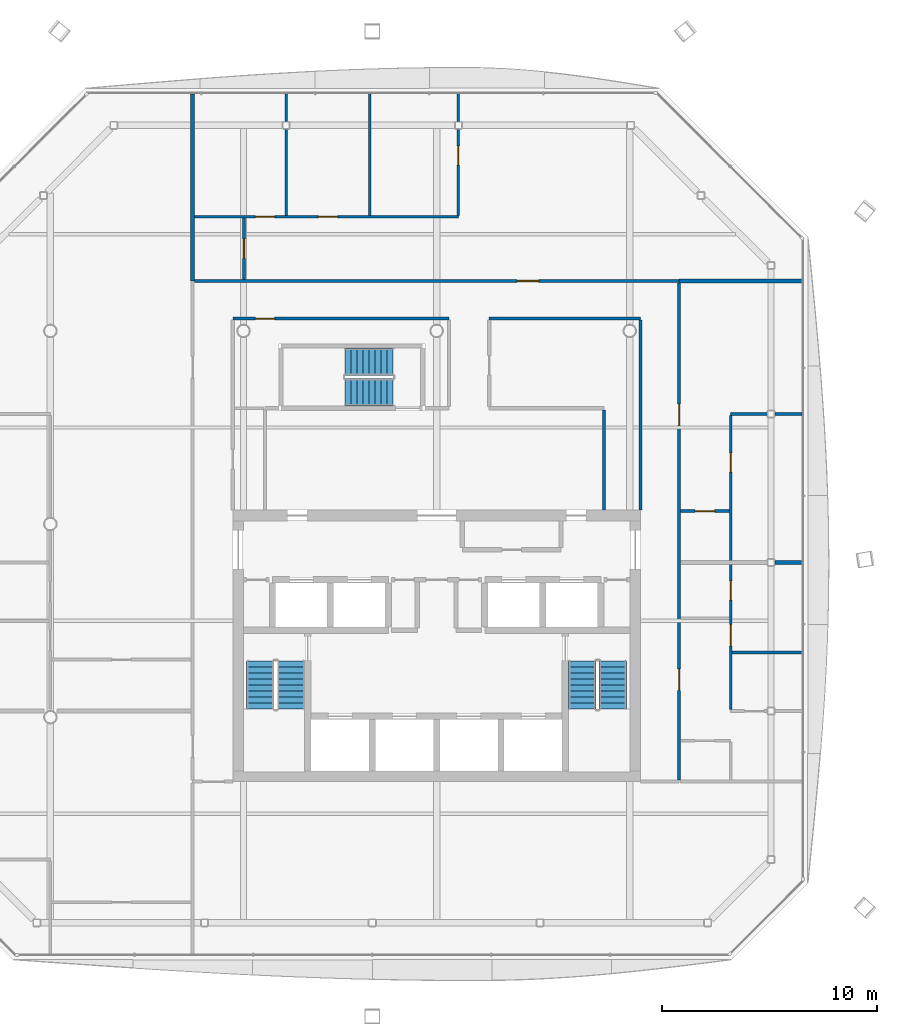
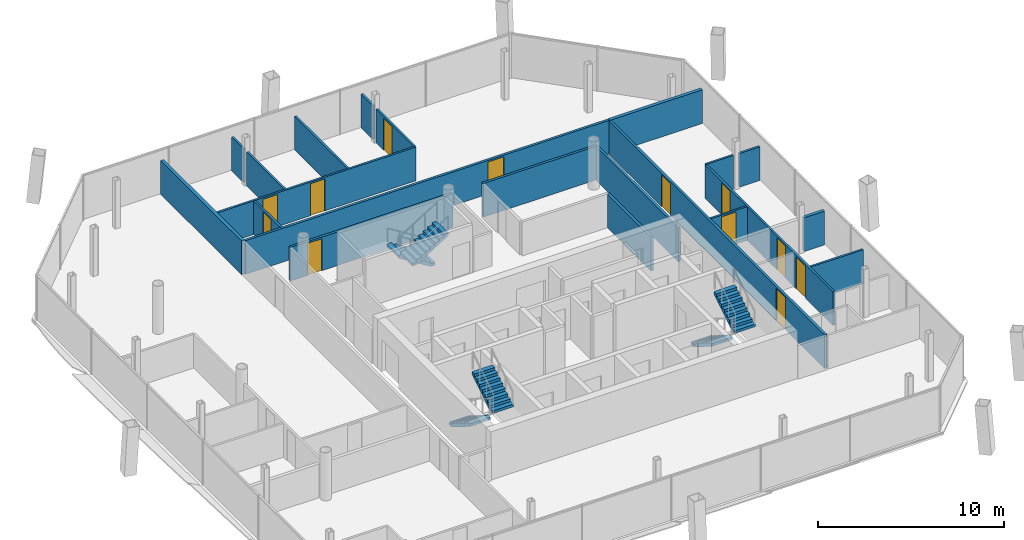
# One storey, part 16 of 20: 21 walls, 12 doors, 6 stair flights, 12 openings, 3 elements without a shape of their own.
"""IFC4 building model written with IfcOpenShell, lengths in metres."""

from ifc_helpers import new_model, si_unit, direction, frame, frame_2d, origin, place, context, subcontext, project, spatial, polyline, rectangle, outline, extrude, material, layer, layer_set, type_object, element, fill, aggregate, save


model = new_model("IFC4")

# Units and contexts
model_context = context("Model", 3, precision=1e-05, world=origin(), true_north=direction((0.0, 1.0)))
body_context = subcontext(model_context, "Body", "Model", "MODEL_VIEW")
ifc_project = project(units=[si_unit("LENGTHUNIT", "METRE"), si_unit("AREAUNIT", "SQUARE_METRE"), si_unit("VOLUMEUNIT", "CUBIC_METRE"), si_unit("PLANEANGLEUNIT", "RADIAN"), si_unit("MASSUNIT", "GRAM", prefix="KILO")], contexts=[model_context])

# Site, building, storey
site_placement = place(None, origin())
site = spatial("IfcSite", under=ifc_project, at=site_placement, CompositionType="ELEMENT")
building_placement = place(site_placement, origin())
building = spatial("IfcBuilding", under=site, at=building_placement, Name="Tskaro Facet Tower", CompositionType="ELEMENT")
storey_placement = place(building_placement, frame((0.0, 0.0, 194.25)))
storey = spatial("IfcBuildingStorey", under=building, at=storey_placement, Name="L49", CompositionType="ELEMENT", Elevation=194.25)

# Wall
ifc_material_1 = material(Name="Gypsum board on steel studs", Category="steel")
ifc_layer_1 = layer(ifc_material_1, 0.125, Name="Gypsum board on steel studs")
ifc_layer_set_1 = layer_set([ifc_layer_1], Name="Gypsum board on steel studs")
wall_type_1 = type_object("IfcWallType", Name="PART", PredefinedType="PARTITIONING", material=ifc_layer_set_1)
wall_1_placement = place(storey_placement, frame((13.762451171875, -5.989990234375, 0.0), z_axis=(0.0, 0.0, 1.0), x_axis=(1.0, 0.0, 0.0)))
element("IfcWall", 1, at=wall_1_placement, inside=storey, type_object=wall_type_1, Name="Partition W015", PredefinedType="PARTITIONING", context=body_context, shape_type="SweptSolid", body=[
    extrude(rectangle(XDim=3.267578125, YDim=0.125, at=frame_2d((1.6337890625, 0.0))), origin(), (0.0, 0.0, 1.0), 2.2099609375),
])

# Wall, opening, door
wall_2_placement = place(storey_placement, frame((13.637451171875, 0.60498046875, 0.0), z_axis=(0.0, 0.0, 1.0), x_axis=(-1.0, 0.0, 0.0)))
wall_2 = element("IfcWall", 2, at=wall_2_placement, inside=storey, type_object=wall_type_1, Name="Partition W032", PredefinedType="PARTITIONING", context=body_context, shape_type="SweptSolid", body=[
    extrude(rectangle(XDim=2.262451171875, YDim=0.125, at=frame_2d((1.13134765625, 0.0))), origin(), (0.0, 0.0, 1.0), 2.2099609375),
])
opening_1_placement = place(wall_2_placement, frame((0.6875, 0.0, 0.0)))
opening_1 = element("IfcOpeningElement", 3, at=opening_1_placement, cuts=wall_2, Name="Opening T14-D23", PredefinedType="OPENING", context=body_context, shape_type="SweptSolid", body=[
    extrude(rectangle(XDim=0.89990234375, YDim=2.10009765625, at=frame_2d((0.449951171875, 1.050048828125))), frame((0.0, 0.072509765625, 0.0), z_axis=(0.0, -1.0, 0.0), x_axis=(1.0, 0.0, 0.0)), (0.0, 0.0, 1.0), 0.14501953125),
])
ifc_material_2 = material(Name="Timber", Category="wood")
door_type_1 = type_object("IfcDoorType", Name="D-ROOM", OperationType="NOTDEFINED", PredefinedType="DOOR", material=ifc_material_2)
door_1_placement = place(opening_1_placement, origin())
door_1 = element("IfcDoor", 4, at=door_1_placement, inside=storey, type_object=door_type_1, Name="Door T14-D23", OperationType="SINGLE_SWING_RIGHT", OverallHeight=2.10009765625, OverallWidth=0.89990234375, PredefinedType="DOOR", context=body_context, shape_type="SweptSolid", body=[
    extrude(rectangle(XDim=0.89990234375, YDim=2.10009765625, at=frame_2d((0.449951171875, 1.050048828125))), frame((0.0, 0.02490234375, 0.0), z_axis=(0.0, -1.0, 0.0), x_axis=(1.0, 0.0, 0.0)), (0.0, 0.0, 1.0), 0.050048828125),
])
fill(opening_1, door_1)

# Walls
wall_3_placement = place(storey_placement, frame((13.699951171875, 5.125, 0.0), z_axis=(0.0, 0.0, 1.0), x_axis=(1.0, 0.0, 0.0)))
element("IfcWall", 5, at=wall_3_placement, inside=storey, type_object=wall_type_1, Name="Partition W035", PredefinedType="PARTITIONING", context=body_context, shape_type="SweptSolid", body=[
    extrude(rectangle(XDim=1.7080078125, YDim=0.125, at=frame_2d((0.85400390625, 0.0))), origin(), (0.0, 0.0, 1.0), 2.2099609375),
])
wall_4_placement = place(storey_placement, frame((15.758056640625, 5.125, 0.0), z_axis=(0.0, 0.0, 1.0), x_axis=(1.0, 0.0, 0.0)))
element("IfcWall", 6, at=wall_4_placement, inside=storey, type_object=wall_type_1, Name="Partition W036", PredefinedType="PARTITIONING", context=body_context, shape_type="SweptSolid", body=[
    extrude(rectangle(XDim=1.27197265625, YDim=0.125, at=frame_2d((0.635986328125, 0.0))), origin(), (0.0, 0.0, 1.0), 2.2099609375),
])

# Wall, openings, doors
wall_5_placement = place(storey_placement, frame((-11.27490234375, 14.324951171875, 0.0), z_axis=(0.0, 0.0, 1.0), x_axis=(1.0, 0.0, 0.0)))
wall_5 = element("IfcWall", 7, at=wall_5_placement, inside=storey, type_object=wall_type_1, Name="Partition W047", PredefinedType="PARTITIONING", context=body_context, shape_type="SweptSolid", body=[
    extrude(rectangle(XDim=12.289794921875, YDim=0.125, at=frame_2d((6.14501953125, 0.0))), origin(), (0.0, 0.0, 1.0), 2.2099609375),
])
opening_2_placement = place(wall_5_placement, frame((2.830078125, 0.0, 0.0)))
opening_2 = element("IfcOpeningElement", 8, at=opening_2_placement, cuts=wall_5, Name="Opening T14-D33", PredefinedType="OPENING", context=body_context, shape_type="SweptSolid", body=[
    extrude(rectangle(XDim=0.89990234375, YDim=2.10009765625, at=frame_2d((0.449951171875, 1.050048828125))), frame((0.0, 0.072509765625, 0.0), z_axis=(0.0, -1.0, 0.0), x_axis=(1.0, 0.0, 0.0)), (0.0, 0.0, 1.0), 0.14501953125),
])
opening_3_placement = place(wall_5_placement, frame((5.760009765625, 0.0, 0.0)))
opening_3 = element("IfcOpeningElement", 9, at=opening_3_placement, cuts=wall_5, Name="Opening T14-D34", PredefinedType="OPENING", context=body_context, shape_type="SweptSolid", body=[
    extrude(rectangle(XDim=0.89990234375, YDim=2.10009765625, at=frame_2d((0.449951171875, 1.050048828125))), frame((0.0, 0.072509765625, 0.0), z_axis=(0.0, -1.0, 0.0), x_axis=(1.0, 0.0, 0.0)), (0.0, 0.0, 1.0), 0.14501953125),
])
door_2_placement = place(opening_2_placement, origin())
door_2 = element("IfcDoor", 10, at=door_2_placement, inside=storey, type_object=door_type_1, Name="Door T14-D33", OperationType="SINGLE_SWING_RIGHT", OverallHeight=2.10009765625, OverallWidth=0.89990234375, PredefinedType="DOOR", context=body_context, shape_type="SweptSolid", body=[
    extrude(rectangle(XDim=0.89990234375, YDim=2.10009765625, at=frame_2d((0.449951171875, 1.050048828125))), frame((0.0, 0.02490234375, 0.0), z_axis=(0.0, -1.0, 0.0), x_axis=(1.0, 0.0, 0.0)), (0.0, 0.0, 1.0), 0.050048828125),
])
fill(opening_2, door_2)
door_3_placement = place(opening_3_placement, origin())
door_3 = element("IfcDoor", 11, at=door_3_placement, inside=storey, type_object=door_type_1, Name="Door T14-D34", OperationType="SINGLE_SWING_RIGHT", OverallHeight=2.10009765625, OverallWidth=0.89990234375, PredefinedType="DOOR", context=body_context, shape_type="SweptSolid", body=[
    extrude(rectangle(XDim=0.89990234375, YDim=2.10009765625, at=frame_2d((0.449951171875, 1.050048828125))), frame((0.0, 0.02490234375, 0.0), z_axis=(0.0, -1.0, 0.0), x_axis=(1.0, 0.0, 0.0)), (0.0, 0.0, 1.0), 0.050048828125),
])
fill(opening_3, door_3)

# Wall, opening, door
wall_6_placement = place(storey_placement, frame((-8.97509765625, 11.39990234375, 0.0), z_axis=(0.0, 0.0, 1.0), x_axis=(0.0, 1.0, 0.0)))
wall_6 = element("IfcWall", 12, at=wall_6_placement, inside=storey, type_object=wall_type_1, Name="Partition W055", PredefinedType="PARTITIONING", context=body_context, shape_type="SweptSolid", body=[
    extrude(rectangle(XDim=2.862548828125, YDim=0.125, at=frame_2d((1.43115234375, 0.0))), origin(), (0.0, 0.0, 1.0), 2.2099609375),
])
opening_4_placement = place(wall_6_placement, frame((0.97509765625, 0.0, 0.0)))
opening_4 = element("IfcOpeningElement", 13, at=opening_4_placement, cuts=wall_6, Name="Opening T14-D32", PredefinedType="OPENING", context=body_context, shape_type="SweptSolid", body=[
    extrude(rectangle(XDim=0.89990234375, YDim=2.10009765625, at=frame_2d((0.449951171875, 1.050048828125))), frame((0.0, 0.072509765625, 0.0), z_axis=(0.0, -1.0, 0.0), x_axis=(1.0, 0.0, 0.0)), (0.0, 0.0, 1.0), 0.14501953125),
])
door_4_placement = place(opening_4_placement, origin())
door_4 = element("IfcDoor", 14, at=door_4_placement, inside=storey, type_object=door_type_1, Name="Door T14-D32", OperationType="SINGLE_SWING_LEFT", OverallHeight=2.10009765625, OverallWidth=0.89990234375, PredefinedType="DOOR", context=body_context, shape_type="SweptSolid", body=[
    extrude(rectangle(XDim=0.89990234375, YDim=2.10009765625, at=frame_2d((0.449951171875, 1.050048828125))), frame((0.0, 0.02490234375, 0.0), z_axis=(0.0, -1.0, 0.0), x_axis=(1.0, 0.0, 0.0)), (0.0, 0.0, 1.0), 0.050048828125),
])
fill(opening_4, door_4)

# Walls
wall_7_placement = place(storey_placement, frame((-7.014892578125, 14.387451171875, 0.0), z_axis=(0.0, 0.0, 1.0), x_axis=(0.0, 1.0, 0.0)))
element("IfcWall", 15, at=wall_7_placement, inside=storey, type_object=wall_type_1, Name="Partition W059", PredefinedType="PARTITIONING", context=body_context, shape_type="SweptSolid", body=[
    extrude(rectangle(XDim=4.0205078125, YDim=0.125, at=frame_2d((2.01025390625, 0.0))), origin(), (0.0, 0.0, 1.0), 2.2099609375),
])
wall_8_placement = place(storey_placement, frame((-7.014892578125, 18.758056640625, 0.0), z_axis=(0.0, 0.0, 1.0), x_axis=(0.0, 1.0, 0.0)))
element("IfcWall", 16, at=wall_8_placement, inside=storey, type_object=wall_type_1, Name="Partition W060", PredefinedType="PARTITIONING", context=body_context, shape_type="SweptSolid", body=[
    extrude(rectangle(XDim=1.27197265625, YDim=0.125, at=frame_2d((0.635986328125, 0.0))), origin(), (0.0, 0.0, 1.0), 2.2099609375),
])
wall_9_placement = place(storey_placement, frame((-3.114990234375, 14.387451171875, 0.0), z_axis=(0.0, 0.0, 1.0), x_axis=(0.0, 1.0, 0.0)))
element("IfcWall", 17, at=wall_9_placement, inside=storey, type_object=wall_type_1, Name="Partition W063", PredefinedType="PARTITIONING", context=body_context, shape_type="SweptSolid", body=[
    extrude(rectangle(XDim=5.642578125, YDim=0.125, at=frame_2d((2.8212890625, 0.0))), origin(), (0.0, 0.0, 1.0), 2.2099609375),
])

# Wall, opening, door
wall_10_placement = place(storey_placement, frame((1.014892578125, 14.387451171875, 0.0), z_axis=(0.0, 0.0, 1.0), x_axis=(0.0, 1.0, 0.0)))
wall_10 = element("IfcWall", 18, at=wall_10_placement, inside=storey, type_object=wall_type_1, Name="Partition W071", PredefinedType="PARTITIONING", context=body_context, shape_type="SweptSolid", body=[
    extrude(rectangle(XDim=4.0205078125, YDim=0.125, at=frame_2d((2.01025390625, 0.0))), origin(), (0.0, 0.0, 1.0), 2.2099609375),
])
opening_5_placement = place(wall_10_placement, frame((2.340087890625, 0.0, 0.0)))
opening_5 = element("IfcOpeningElement", 19, at=opening_5_placement, cuts=wall_10, Name="Opening T14-D35", PredefinedType="OPENING", context=body_context, shape_type="SweptSolid", body=[
    extrude(rectangle(XDim=0.89990234375, YDim=2.10009765625, at=frame_2d((0.449951171875, 1.050048828125))), frame((0.0, 0.072509765625, 0.0), z_axis=(0.0, -1.0, 0.0), x_axis=(1.0, 0.0, 0.0)), (0.0, 0.0, 1.0), 0.14501953125),
])
door_5_placement = place(opening_5_placement, origin())
door_5 = element("IfcDoor", 20, at=door_5_placement, inside=storey, type_object=door_type_1, Name="Door T14-D35", OperationType="SINGLE_SWING_RIGHT", OverallHeight=2.10009765625, OverallWidth=0.89990234375, PredefinedType="DOOR", context=body_context, shape_type="SweptSolid", body=[
    extrude(rectangle(XDim=0.89990234375, YDim=2.10009765625, at=frame_2d((0.449951171875, 1.050048828125))), frame((0.0, 0.02490234375, 0.0), z_axis=(0.0, -1.0, 0.0), x_axis=(1.0, 0.0, 0.0)), (0.0, 0.0, 1.0), 0.050048828125),
])
fill(opening_5, door_5)

# Wall
wall_11_placement = place(storey_placement, frame((1.014892578125, 18.758056640625, 0.0), z_axis=(0.0, 0.0, 1.0), x_axis=(0.0, 1.0, 0.0)))
element("IfcWall", 21, at=wall_11_placement, inside=storey, type_object=wall_type_1, Name="Partition W072", PredefinedType="PARTITIONING", context=body_context, shape_type="SweptSolid", body=[
    extrude(rectangle(XDim=1.27197265625, YDim=0.125, at=frame_2d((0.635986328125, 0.0))), origin(), (0.0, 0.0, 1.0), 2.2099609375),
])

# Wall, openings, doors
wall_12_placement = place(storey_placement, frame((13.699951171875, 5.0625, 0.0), z_axis=(0.0, 0.0, 1.0), x_axis=(0.0, -1.0, 0.0)))
wall_12 = element("IfcWall", 22, at=wall_12_placement, inside=storey, type_object=wall_type_1, Name="Partition W085", PredefinedType="PARTITIONING", context=body_context, shape_type="SweptSolid", body=[
    extrude(rectangle(XDim=13.715087890625, YDim=0.125, at=frame_2d((6.857421875, 0.0))), origin(), (0.0, 0.0, 1.0), 2.2099609375),
])
opening_6_placement = place(wall_12_placement, frame((9.7548828125, 0.0, 0.0)))
opening_6 = element("IfcOpeningElement", 23, at=opening_6_placement, cuts=wall_12, Name="Opening T14-D10", PredefinedType="OPENING", context=body_context, shape_type="SweptSolid", body=[
    extrude(rectangle(XDim=1.0, YDim=2.10009765625, at=frame_2d((0.5, 1.050048828125))), frame((0.0, 0.072509765625, 0.0), z_axis=(0.0, -1.0, 0.0), x_axis=(1.0, 0.0, 0.0)), (0.0, 0.0, 1.0), 0.14501953125),
])
opening_7_placement = place(wall_12_placement, frame((7.70751953125, 0.0, 0.0)))
opening_7 = element("IfcOpeningElement", 24, at=opening_7_placement, cuts=wall_12, Name="Opening T14-D12", PredefinedType="OPENING", context=body_context, shape_type="SweptSolid", body=[
    extrude(rectangle(XDim=0.89990234375, YDim=2.10009765625, at=frame_2d((0.449951171875, 1.050048828125))), frame((0.0, 0.072509765625, 0.0), z_axis=(0.0, -1.0, 0.0), x_axis=(1.0, 0.0, 0.0)), (0.0, 0.0, 1.0), 0.14501953125),
])
opening_8_placement = place(wall_12_placement, frame((1.74755859375, 0.0, 0.0)))
opening_8 = element("IfcOpeningElement", 25, at=opening_8_placement, cuts=wall_12, Name="Opening T14-D24", PredefinedType="OPENING", context=body_context, shape_type="SweptSolid", body=[
    extrude(rectangle(XDim=0.89990234375, YDim=2.10009765625, at=frame_2d((0.449951171875, 1.050048828125))), frame((0.0, 0.072509765625, 0.0), z_axis=(0.0, -1.0, 0.0), x_axis=(1.0, 0.0, 0.0)), (0.0, 0.0, 1.0), 0.14501953125),
])
door_6_placement = place(opening_7_placement, origin())
door_6 = element("IfcDoor", 26, at=door_6_placement, inside=storey, type_object=door_type_1, Name="Door T14-D12", OperationType="SINGLE_SWING_RIGHT", OverallHeight=2.10009765625, OverallWidth=0.89990234375, PredefinedType="DOOR", context=body_context, shape_type="SweptSolid", body=[
    extrude(rectangle(XDim=0.89990234375, YDim=2.10009765625, at=frame_2d((0.449951171875, 1.050048828125))), frame((0.0, 0.02490234375, 0.0), z_axis=(0.0, -1.0, 0.0), x_axis=(1.0, 0.0, 0.0)), (0.0, 0.0, 1.0), 0.050048828125),
])
fill(opening_7, door_6)
door_7_placement = place(opening_8_placement, origin())
door_7 = element("IfcDoor", 27, at=door_7_placement, inside=storey, type_object=door_type_1, Name="Door T14-D24", OperationType="SINGLE_SWING_LEFT", OverallHeight=2.10009765625, OverallWidth=0.89990234375, PredefinedType="DOOR", context=body_context, shape_type="SweptSolid", body=[
    extrude(rectangle(XDim=0.89990234375, YDim=2.10009765625, at=frame_2d((0.449951171875, 1.050048828125))), frame((0.0, 0.02490234375, 0.0), z_axis=(0.0, -1.0, 0.0), x_axis=(1.0, 0.0, 0.0)), (0.0, 0.0, 1.0), 0.050048828125),
])
fill(opening_8, door_7)
door_type_2 = type_object("IfcDoorType", Name="D-ROOM-WIDE", OperationType="NOTDEFINED", PredefinedType="DOOR", material=ifc_material_2)
door_8_placement = place(opening_6_placement, origin())
door_8 = element("IfcDoor", 28, at=door_8_placement, inside=storey, type_object=door_type_2, Name="Door T14-D10", OperationType="SINGLE_SWING_RIGHT", OverallHeight=2.10009765625, OverallWidth=1.0, PredefinedType="DOOR", context=body_context, shape_type="SweptSolid", body=[
    extrude(rectangle(XDim=1.0, YDim=2.10009765625, at=frame_2d((0.5, 1.050048828125))), frame((0.0, 0.02490234375, 0.0), z_axis=(0.0, -1.0, 0.0), x_axis=(1.0, 0.0, 0.0)), (0.0, 0.0, 1.0), 0.050048828125),
])
fill(opening_6, door_8)

# Wall, opening, door
ifc_layer_2 = layer(ifc_material_1, 0.14990234375, Name="Gypsum board on steel studs")
ifc_layer_set_2 = layer_set([ifc_layer_2], Name="Gypsum board on steel studs")
wall_type_2 = type_object("IfcWallType", Name="PART-CORR", PredefinedType="PARTITIONING", material=ifc_layer_set_2)
wall_13_placement = place(storey_placement, frame((0.574951171875, 9.574951171875, 0.0), z_axis=(0.0, 0.0, 1.0), x_axis=(-1.0, 0.0, 0.0)))
wall_13 = element("IfcWall", 29, at=wall_13_placement, inside=storey, type_object=wall_type_2, Name="Corridor wall W043", PredefinedType="PARTITIONING", context=body_context, shape_type="SweptSolid", body=[
    extrude(rectangle(XDim=10.074951171875, YDim=0.14990234375, at=frame_2d((5.03759765625, 0.0))), origin(), (0.0, 0.0, 1.0), 2.2099609375),
])
opening_9_placement = place(wall_13_placement, frame((8.125, 0.0, 0.0)))
opening_9 = element("IfcOpeningElement", 30, at=opening_9_placement, cuts=wall_13, Name="Opening T14-D30", PredefinedType="OPENING", context=body_context, shape_type="SweptSolid", body=[
    extrude(rectangle(XDim=0.89990234375, YDim=2.10009765625, at=frame_2d((0.449951171875, 1.050048828125))), frame((0.0, 0.0849609375, 0.0), z_axis=(0.0, -1.0, 0.0), x_axis=(1.0, 0.0, 0.0)), (0.0, 0.0, 1.0), 0.169921875),
])
door_9_placement = place(opening_9_placement, origin())
door_9 = element("IfcDoor", 31, at=door_9_placement, inside=storey, type_object=door_type_1, Name="Door T14-D30", OperationType="SINGLE_SWING_RIGHT", OverallHeight=2.10009765625, OverallWidth=0.89990234375, PredefinedType="DOOR", context=body_context, shape_type="SweptSolid", body=[
    extrude(rectangle(XDim=0.89990234375, YDim=2.10009765625, at=frame_2d((0.449951171875, 1.050048828125))), frame((0.0, 0.02490234375, 0.0), z_axis=(0.0, -1.0, 0.0), x_axis=(1.0, 0.0, 0.0)), (0.0, 0.0, 1.0), 0.050048828125),
])
fill(opening_9, door_9)

# Wall
wall_14_placement = place(storey_placement, frame((2.449951171875, 9.574951171875, 0.0), z_axis=(0.0, 0.0, 1.0), x_axis=(1.0, 0.0, 0.0)))
element("IfcWall", 32, at=wall_14_placement, inside=storey, type_object=wall_type_2, Name="Corridor wall W044", PredefinedType="PARTITIONING", context=body_context, shape_type="SweptSolid", body=[
    extrude(rectangle(XDim=7.050048828125, YDim=0.14990234375, at=frame_2d((3.52490234375, 0.0))), origin(), (0.0, 0.0, 1.0), 2.2099609375),
])

# Wall, opening, door
wall_15_placement = place(storey_placement, frame((-11.27490234375, 11.324951171875, 0.0), z_axis=(0.0, 0.0, 1.0), x_axis=(1.0, 0.0, 0.0)))
wall_15 = element("IfcWall", 33, at=wall_15_placement, inside=storey, type_object=wall_type_2, Name="Corridor wall W045", PredefinedType="PARTITIONING", context=body_context, shape_type="SweptSolid", body=[
    extrude(rectangle(XDim=22.574951171875, YDim=0.14990234375, at=frame_2d((11.28759765625, 0.0))), origin(), (0.0, 0.0, 1.0), 2.2099609375),
])
opening_10_placement = place(wall_15_placement, frame((15.02490234375, 0.0, 0.0)))
opening_10 = element("IfcOpeningElement", 34, at=opening_10_placement, cuts=wall_15, Name="Opening T14-D31", PredefinedType="OPENING", context=body_context, shape_type="SweptSolid", body=[
    extrude(rectangle(XDim=1.0, YDim=2.10009765625, at=frame_2d((0.5, 1.050048828125))), frame((0.0, 0.0849609375, 0.0), z_axis=(0.0, -1.0, 0.0), x_axis=(1.0, 0.0, 0.0)), (0.0, 0.0, 1.0), 0.169921875),
])
door_type_3 = type_object("IfcDoorType", Name="D-FLAT-ENTRY", OperationType="NOTDEFINED", PredefinedType="DOOR", material=ifc_material_2)
door_10_placement = place(opening_10_placement, origin())
door_10 = element("IfcDoor", 35, at=door_10_placement, inside=storey, type_object=door_type_3, Name="Door T14-D31", OperationType="SINGLE_SWING_LEFT", OverallHeight=2.10009765625, OverallWidth=1.0, PredefinedType="DOOR", context=body_context, shape_type="SweptSolid", body=[
    extrude(rectangle(XDim=1.0, YDim=2.10009765625, at=frame_2d((0.5, 1.050048828125))), frame((0.0, 0.02490234375, 0.0), z_axis=(0.0, -1.0, 0.0), x_axis=(1.0, 0.0, 0.0)), (0.0, 0.0, 1.0), 0.050048828125),
])
fill(opening_10, door_10)

# Walls
wall_16_placement = place(storey_placement, frame((7.800048828125, 0.64990234375, 0.0), z_axis=(0.0, 0.0, 1.0), x_axis=(0.0, 1.0, 0.0)))
element("IfcWall", 36, at=wall_16_placement, inside=storey, type_object=wall_type_2, Name="Corridor wall W081", PredefinedType="PARTITIONING", context=body_context, shape_type="SweptSolid", body=[
    extrude(rectangle(XDim=4.675048828125, YDim=0.14990234375, at=frame_2d((2.33740234375, 0.0))), origin(), (0.0, 0.0, 1.0), 2.2099609375),
])
wall_17_placement = place(storey_placement, frame((9.5, 0.64990234375, 0.0), z_axis=(0.0, 0.0, 1.0), x_axis=(0.0, 1.0, 0.0)))
element("IfcWall", 37, at=wall_17_placement, inside=storey, type_object=wall_type_2, Name="Corridor wall W082", PredefinedType="PARTITIONING", context=body_context, shape_type="SweptSolid", body=[
    extrude(rectangle(XDim=8.85009765625, YDim=0.14990234375, at=frame_2d((4.425048828125, 0.0))), origin(), (0.0, 0.0, 1.0), 2.2099609375),
])

# Wall, openings, doors
wall_18_placement = place(storey_placement, frame((11.300048828125, 11.22509765625, 0.0), z_axis=(0.0, 0.0, 1.0), x_axis=(0.0, -1.0, 0.0)))
wall_18 = element("IfcWall", 38, at=wall_18_placement, inside=storey, type_object=wall_type_2, Name="Corridor wall W083", PredefinedType="PARTITIONING", context=body_context, shape_type="SweptSolid", body=[
    extrude(rectangle(XDim=23.150146484375, YDim=0.14990234375, at=frame_2d((11.5751953125, 0.0))), origin(), (0.0, 0.0, 1.0), 2.2099609375),
])
opening_11_placement = place(wall_18_placement, frame((17.972412109375, 0.0, 0.0)))
opening_11 = element("IfcOpeningElement", 39, at=opening_11_placement, cuts=wall_18, Name="Opening T14-D07", PredefinedType="OPENING", context=body_context, shape_type="SweptSolid", body=[
    extrude(rectangle(XDim=1.0, YDim=2.10009765625, at=frame_2d((0.5, 1.050048828125))), frame((0.0, 0.0849609375, 0.0), z_axis=(0.0, -1.0, 0.0), x_axis=(1.0, 0.0, 0.0)), (0.0, 0.0, 1.0), 0.169921875),
])
opening_12_placement = place(wall_18_placement, frame((5.635009765625, 0.0, 0.0)))
opening_12 = element("IfcOpeningElement", 40, at=opening_12_placement, cuts=wall_18, Name="Opening T14-D26", PredefinedType="OPENING", context=body_context, shape_type="SweptSolid", body=[
    extrude(rectangle(XDim=1.0, YDim=2.10009765625, at=frame_2d((0.5, 1.050048828125))), frame((0.0, 0.0849609375, 0.0), z_axis=(0.0, -1.0, 0.0), x_axis=(1.0, 0.0, 0.0)), (0.0, 0.0, 1.0), 0.169921875),
])
door_11_placement = place(opening_11_placement, origin())
door_11 = element("IfcDoor", 41, at=door_11_placement, inside=storey, type_object=door_type_3, Name="Door T14-D07", OperationType="SINGLE_SWING_RIGHT", OverallHeight=2.10009765625, OverallWidth=1.0, PredefinedType="DOOR", context=body_context, shape_type="SweptSolid", body=[
    extrude(rectangle(XDim=1.0, YDim=2.10009765625, at=frame_2d((0.5, 1.050048828125))), frame((0.0, 0.02490234375, 0.0), z_axis=(0.0, -1.0, 0.0), x_axis=(1.0, 0.0, 0.0)), (0.0, 0.0, 1.0), 0.050048828125),
])
fill(opening_11, door_11)
door_12_placement = place(opening_12_placement, origin())
door_12 = element("IfcDoor", 42, at=door_12_placement, inside=storey, type_object=door_type_3, Name="Door T14-D26", OperationType="SINGLE_SWING_RIGHT", OverallHeight=2.10009765625, OverallWidth=1.0, PredefinedType="DOOR", context=body_context, shape_type="SweptSolid", body=[
    extrude(rectangle(XDim=1.0, YDim=2.10009765625, at=frame_2d((0.5, 1.050048828125))), frame((0.0, 0.02490234375, 0.0), z_axis=(0.0, -1.0, 0.0), x_axis=(1.0, 0.0, 0.0)), (0.0, 0.0, 1.0), 0.050048828125),
])
fill(opening_12, door_12)

# Walls
ifc_layer_3 = layer(ifc_material_1, 0.199951171875, Name="Gypsum board on steel studs")
ifc_layer_set_3 = layer_set([ifc_layer_3], Name="Gypsum board on steel studs")
wall_type_3 = type_object("IfcWallType", Name="PART-DEMISING", PredefinedType="PARTITIONING", material=ifc_layer_set_3)
wall_19_placement = place(storey_placement, frame((15.758056640625, -1.794921875, 0.0), z_axis=(0.0, 0.0, 1.0), x_axis=(1.0, 0.0, 0.0)))
element("IfcWall", 43, at=wall_19_placement, inside=storey, type_object=wall_type_3, Name="Guest room wall W030", PredefinedType="PARTITIONING", context=body_context, shape_type="SweptSolid", body=[
    extrude(rectangle(XDim=1.27197265625, YDim=0.199951171875, at=frame_2d((0.635986328125, 0.0))), origin(), (0.0, 0.0, 1.0), 2.2099609375),
])
wall_20_placement = place(storey_placement, frame((11.300048828125, 11.324951171875, 0.0), z_axis=(0.0, 0.0, 1.0), x_axis=(1.0, 0.0, 0.0)))
element("IfcWall", 44, at=wall_20_placement, inside=storey, type_object=wall_type_3, Name="Guest room wall W046", PredefinedType="PARTITIONING", context=body_context, shape_type="SweptSolid", body=[
    extrude(rectangle(XDim=5.72998046875, YDim=0.199951171875, at=frame_2d((2.864990234375, 0.0))), origin(), (0.0, 0.0, 1.0), 2.2099609375),
])
wall_21_placement = place(storey_placement, frame((-11.375, 11.324951171875, 0.0), z_axis=(0.0, 0.0, 1.0), x_axis=(0.0, 1.0, 0.0)))
element("IfcWall", 45, at=wall_21_placement, inside=storey, type_object=wall_type_3, Name="Guest room wall W053", PredefinedType="PARTITIONING", context=body_context, shape_type="SweptSolid", body=[
    extrude(rectangle(XDim=8.705078125, YDim=0.199951171875, at=frame_2d((4.3525390625, 0.0))), origin(), (0.0, 0.0, 1.0), 2.2099609375),
])

# Stair, stair flights
ifc_material_3 = material(Name="Concrete C40/50", Category="concrete")
stair_type = type_object("IfcStairType", Name="ST-TWR", PredefinedType="HALF_TURN_STAIR", material=ifc_material_3)
stair_1_placement = place(storey_placement, origin())
stair_1 = element("IfcStair", 46, at=stair_1_placement, inside=storey, type_object=stair_type, Name="L49 Exit stair 1", PredefinedType="HALF_TURN_STAIR")
stair_flight_type = type_object("IfcStairFlightType", Name="SFL-RC", PredefinedType="STRAIGHT", material=ifc_material_3)
stair_flight_1_placement = place(storey_placement, frame((-8.21240234375, -6.375, 0.0), z_axis=(0.0, 0.0, 1.0), x_axis=(0.0, -1.0, 0.0)))
stair_flight_1 = element("IfcStairFlight", 47, at=stair_flight_1_placement, type_object=stair_flight_type, Name="ST-1 flight 1", NumberOfRisers=9, NumberOfTreads=8, PredefinedType="STRAIGHT", RiserHeight=0.175, TreadLength=0.28, context=body_context, shape_type="SweptSolid", body=[
    extrude(outline(polyline([(0.0, 0.0), (0.0, 0.175048828125), (0.280029296875, 0.175048828125), (0.280029296875, 0.35009765625), (0.56005859375, 0.35009765625), (0.56005859375, 0.52490234375), (0.840087890625, 0.52490234375), (0.840087890625, 0.699951171875), (1.1201171875, 0.699951171875), (1.1201171875, 0.875), (1.39990234375, 0.875), (1.39990234375, 1.050048828125), (1.679931640625, 1.050048828125), (1.679931640625, 1.22509765625), (1.9599609375, 1.22509765625), (1.9599609375, 1.39990234375), (2.239990234375, 1.39990234375), (2.239990234375, 1.574951171875), (2.239990234375, 1.22314453125), (0.28271484375, 0.0), (0.0, 0.0)])), frame((0.0, 0.637451171875, 0.0), z_axis=(0.0, -1.0, 0.0), x_axis=(1.0, 0.0, 0.0)), (0.0, 0.0, 1.0), 1.27490234375),
])
stair_flight_2_placement = place(storey_placement, frame((-6.78759765625, -8.614990234375, 1.574951171875), z_axis=(0.0, 0.0, 1.0), x_axis=(0.0, 1.0, 0.0)))
stair_flight_2 = element("IfcStairFlight", 48, at=stair_flight_2_placement, type_object=stair_flight_type, Name="ST-1 flight 2", NumberOfRisers=9, NumberOfTreads=8, PredefinedType="STRAIGHT", RiserHeight=0.175, TreadLength=0.28, context=body_context, shape_type="SweptSolid", body=[
    extrude(outline(polyline([(0.0, 0.0), (0.0, 0.175048828125), (0.280029296875, 0.175048828125), (0.280029296875, 0.35009765625), (0.56005859375, 0.35009765625), (0.56005859375, 0.52490234375), (0.840087890625, 0.52490234375), (0.840087890625, 0.699951171875), (1.1201171875, 0.699951171875), (1.1201171875, 0.875), (1.39990234375, 0.875), (1.39990234375, 1.050048828125), (1.679931640625, 1.050048828125), (1.679931640625, 1.22509765625), (1.9599609375, 1.22509765625), (1.9599609375, 1.39990234375), (2.239990234375, 1.39990234375), (2.239990234375, 1.574951171875), (2.239990234375, 1.22314453125), (0.28271484375, 0.0), (0.0, 0.0)])), frame((0.0, 0.637451171875, 0.0), z_axis=(0.0, -1.0, 0.0), x_axis=(1.0, 0.0, 0.0)), (0.0, 0.0, 1.0), 1.27490234375),
])
aggregate(stair_1, [stair_flight_1, stair_flight_2])

stair_2_placement = place(storey_placement, origin())
stair_2 = element("IfcStair", 49, at=stair_2_placement, inside=storey, type_object=stair_type, Name="L49 Exit stair 2", PredefinedType="HALF_TURN_STAIR")
stair_flight_3_placement = place(storey_placement, frame((6.78759765625, -6.375, 0.0), z_axis=(0.0, 0.0, 1.0), x_axis=(0.0, -1.0, 0.0)))
stair_flight_3 = element("IfcStairFlight", 50, at=stair_flight_3_placement, type_object=stair_flight_type, Name="ST-2 flight 1", NumberOfRisers=9, NumberOfTreads=8, PredefinedType="STRAIGHT", RiserHeight=0.175, TreadLength=0.28, context=body_context, shape_type="SweptSolid", body=[
    extrude(outline(polyline([(0.0, 0.0), (0.0, 0.175048828125), (0.280029296875, 0.175048828125), (0.280029296875, 0.35009765625), (0.56005859375, 0.35009765625), (0.56005859375, 0.52490234375), (0.840087890625, 0.52490234375), (0.840087890625, 0.699951171875), (1.1201171875, 0.699951171875), (1.1201171875, 0.875), (1.39990234375, 0.875), (1.39990234375, 1.050048828125), (1.679931640625, 1.050048828125), (1.679931640625, 1.22509765625), (1.9599609375, 1.22509765625), (1.9599609375, 1.39990234375), (2.239990234375, 1.39990234375), (2.239990234375, 1.574951171875), (2.239990234375, 1.22314453125), (0.28271484375, 0.0), (0.0, 0.0)])), frame((0.0, 0.637451171875, 0.0), z_axis=(0.0, -1.0, 0.0), x_axis=(1.0, 0.0, 0.0)), (0.0, 0.0, 1.0), 1.27490234375),
])
stair_flight_4_placement = place(storey_placement, frame((8.21240234375, -8.614990234375, 1.574951171875), z_axis=(0.0, 0.0, 1.0), x_axis=(0.0, 1.0, 0.0)))
stair_flight_4 = element("IfcStairFlight", 51, at=stair_flight_4_placement, type_object=stair_flight_type, Name="ST-2 flight 2", NumberOfRisers=9, NumberOfTreads=8, PredefinedType="STRAIGHT", RiserHeight=0.175, TreadLength=0.28, context=body_context, shape_type="SweptSolid", body=[
    extrude(outline(polyline([(0.0, 0.0), (0.0, 0.175048828125), (0.280029296875, 0.175048828125), (0.280029296875, 0.35009765625), (0.56005859375, 0.35009765625), (0.56005859375, 0.52490234375), (0.840087890625, 0.52490234375), (0.840087890625, 0.699951171875), (1.1201171875, 0.699951171875), (1.1201171875, 0.875), (1.39990234375, 0.875), (1.39990234375, 1.050048828125), (1.679931640625, 1.050048828125), (1.679931640625, 1.22509765625), (1.9599609375, 1.22509765625), (1.9599609375, 1.39990234375), (2.239990234375, 1.39990234375), (2.239990234375, 1.574951171875), (2.239990234375, 1.22314453125), (0.28271484375, 0.0), (0.0, 0.0)])), frame((0.0, 0.637451171875, 0.0), z_axis=(0.0, -1.0, 0.0), x_axis=(1.0, 0.0, 0.0)), (0.0, 0.0, 1.0), 1.27490234375),
])
aggregate(stair_2, [stair_flight_3, stair_flight_4])

stair_3_placement = place(storey_placement, origin())
stair_3 = element("IfcStair", 52, at=stair_3_placement, inside=storey, type_object=stair_type, Name="L49 Exit stair 3", PredefinedType="HALF_TURN_STAIR")
stair_flight_5_placement = place(storey_placement, frame((-2.02490234375, 7.5625, 0.0), z_axis=(0.0, 0.0, 1.0), x_axis=(-1.0, 0.0, 0.0)))
stair_flight_5 = element("IfcStairFlight", 53, at=stair_flight_5_placement, type_object=stair_flight_type, Name="ST-3 flight 1", NumberOfRisers=9, NumberOfTreads=8, PredefinedType="STRAIGHT", RiserHeight=0.175, TreadLength=0.28, context=body_context, shape_type="SweptSolid", body=[
    extrude(outline(polyline([(0.0, 0.0), (0.0, 0.175048828125), (0.280029296875, 0.175048828125), (0.280029296875, 0.35009765625), (0.56005859375, 0.35009765625), (0.56005859375, 0.52490234375), (0.840087890625, 0.52490234375), (0.840087890625, 0.699951171875), (1.1201171875, 0.699951171875), (1.1201171875, 0.875), (1.39990234375, 0.875), (1.39990234375, 1.050048828125), (1.679931640625, 1.050048828125), (1.679931640625, 1.22509765625), (1.9599609375, 1.22509765625), (1.9599609375, 1.39990234375), (2.239990234375, 1.39990234375), (2.239990234375, 1.574951171875), (2.239990234375, 1.22314453125), (0.28271484375, 0.0), (0.0, 0.0)])), frame((0.0, 0.637451171875, 0.0), z_axis=(0.0, -1.0, 0.0), x_axis=(1.0, 0.0, 0.0)), (0.0, 0.0, 1.0), 1.27490234375),
])
stair_flight_6_placement = place(storey_placement, frame((-4.264892578125, 6.137451171875, 1.574951171875), z_axis=(0.0, 0.0, 1.0), x_axis=(1.0, 0.0, 0.0)))
stair_flight_6 = element("IfcStairFlight", 54, at=stair_flight_6_placement, type_object=stair_flight_type, Name="ST-3 flight 2", NumberOfRisers=9, NumberOfTreads=8, PredefinedType="STRAIGHT", RiserHeight=0.175, TreadLength=0.28, context=body_context, shape_type="SweptSolid", body=[
    extrude(outline(polyline([(0.0, 0.0), (0.0, 0.175048828125), (0.280029296875, 0.175048828125), (0.280029296875, 0.35009765625), (0.56005859375, 0.35009765625), (0.56005859375, 0.52490234375), (0.840087890625, 0.52490234375), (0.840087890625, 0.699951171875), (1.1201171875, 0.699951171875), (1.1201171875, 0.875), (1.39990234375, 0.875), (1.39990234375, 1.050048828125), (1.679931640625, 1.050048828125), (1.679931640625, 1.22509765625), (1.9599609375, 1.22509765625), (1.9599609375, 1.39990234375), (2.239990234375, 1.39990234375), (2.239990234375, 1.574951171875), (2.239990234375, 1.22314453125), (0.28271484375, 0.0), (0.0, 0.0)])), frame((0.0, 0.637451171875, 0.0), z_axis=(0.0, -1.0, 0.0), x_axis=(1.0, 0.0, 0.0)), (0.0, 0.0, 1.0), 1.27490234375),
])
aggregate(stair_3, [stair_flight_5, stair_flight_6])

save(model, "model.ifc")
